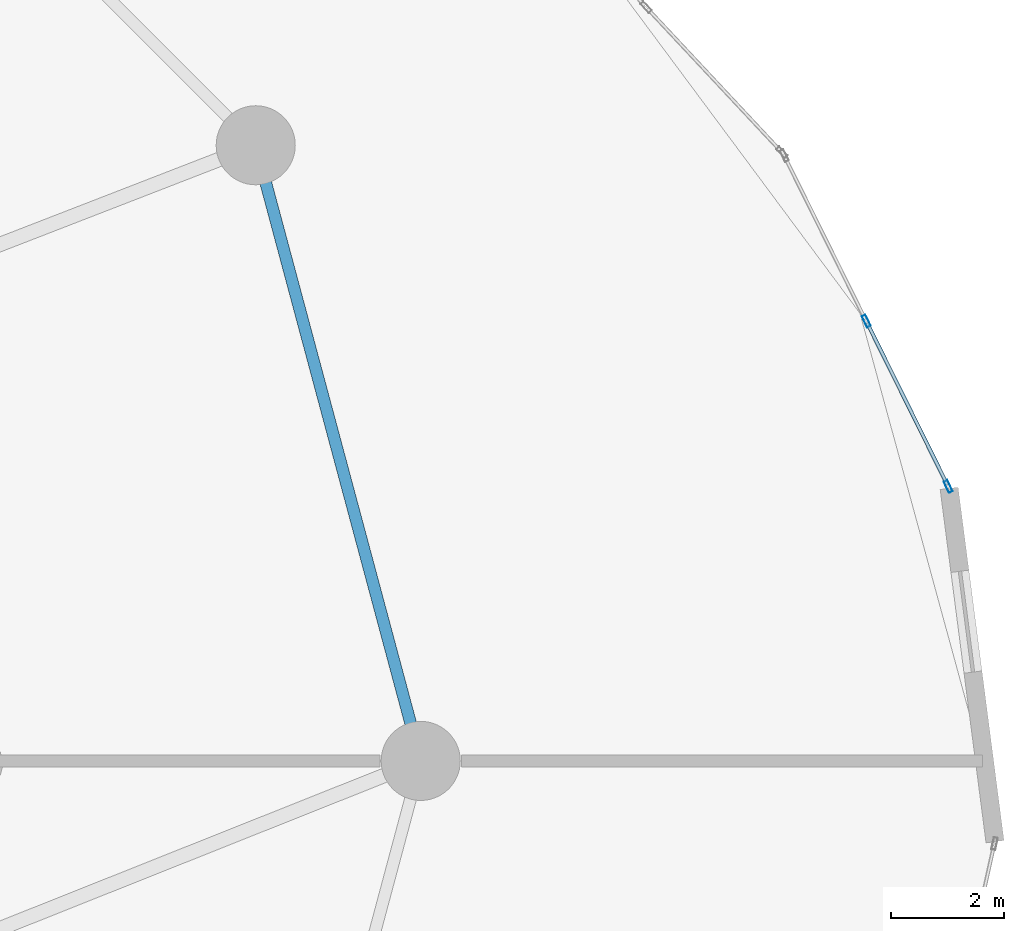
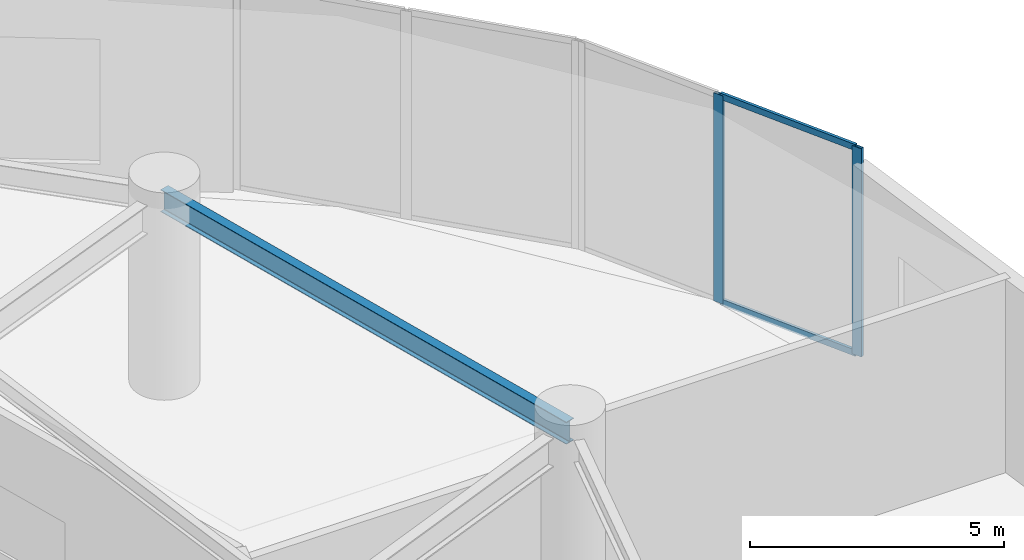
# One storey, part 15 of 31: 4 members, 1 beam, 1 element without a shape of its own.
"""IFC4 building model written with IfcOpenShell, lengths in metres."""

from ifc_helpers import new_model, si_unit, direction, frame, origin, origin_2d, place, context, subcontext, project, spatial, hollow_rectangle, i_section, extrude, source, transform, mapped, material, layer, layer_set, material_profile, profile_set, type_object, element, aggregate, save


model = new_model("IFC4")

# Units and contexts
model_context = context("Model", 3, precision=1e-05, world=origin(), true_north=direction((0.0, 1.0)))
body_context = subcontext(model_context, "Body", "Model", "MODEL_VIEW")
ifc_project = project(units=[si_unit("LENGTHUNIT", "METRE"), si_unit("AREAUNIT", "SQUARE_METRE"), si_unit("VOLUMEUNIT", "CUBIC_METRE"), si_unit("PLANEANGLEUNIT", "RADIAN"), si_unit("MASSUNIT", "GRAM", prefix="KILO")], contexts=[model_context])

# Site, building, storey
site_placement = place(None, origin())
site = spatial("IfcSite", under=ifc_project, at=site_placement, CompositionType="ELEMENT")
building_placement = place(site_placement, origin())
building = spatial("IfcBuilding", under=site, at=building_placement, Name="Solvirekh Grand Hotel", CompositionType="ELEMENT")
storey_placement = place(building_placement, frame((0.0, 0.0, 18.60009765625)))
storey = spatial("IfcBuildingStorey", under=building, at=storey_placement, Name="L03", CompositionType="ELEMENT", Elevation=18.60009765625)

# Beam
ifc_material_1 = material(Name="Steel S355", Category="steel")
ifc_material_profile_1 = material_profile(ifc_material_1, i_section(OverallWidth=0.208984375, OverallDepth=0.532958984375, WebThickness=0.010009765625, FlangeThickness=0.014892578125, FilletRadius=0.013916015625, at=origin_2d()), Name="W530X92")
ifc_profile_set_1 = profile_set([ifc_material_profile_1], Name="Steel S355")
beam_type = type_object("IfcBeamType", Name="Spandrel_Ring_W530", PredefinedType="SPANDREL", material=ifc_profile_set_1)
beam_placement = place(storey_placement, frame((21.800048828125, 0.0, 4.372802734375), z_axis=(-0.258862249378, 0.965914248703, 0.0), x_axis=(-0.965914248703, -0.258862249378, 0.0)))
element("IfcBeam", 1, at=beam_placement, inside=storey, type_object=beam_type, Name="L03 perimeter spandrel beam 1", PredefinedType="SPANDREL", context=body_context, shape_type="SweptSolid", body=[
    extrude(i_section(OverallWidth=0.208984375, OverallDepth=0.532958984375, WebThickness=0.010009765625, FlangeThickness=0.014892578125, FilletRadius=0.013916015625, at=origin_2d()), origin(), (0.0, 0.0, 1.0), 11.284423828125),
])

# Curtain wall, members
ifc_material_2 = material(Name="Anodized Bronze Aluminium 6063-T6", Category="aluminium")
ifc_layer = layer(ifc_material_2, 0.219970703125)
ifc_layer_set = layer_set([ifc_layer], Name="Anodized Bronze Aluminium 6063-T6")
curtain_wall_type = type_object("IfcCurtainWallType", Name="CW_Sys1_PodiumBronzeUnitised", PredefinedType="NOTDEFINED", material=ifc_layer_set)
curtain_wall_placement = place(storey_placement, origin())
curtain_wall = element("IfcCurtainWall", 2, at=curtain_wall_placement, inside=storey, type_object=curtain_wall_type, Name="L03 unitised bronze-glass curtain wall CW-L03-C02", PredefinedType="NOTDEFINED")
ifc_material_profile_2 = material_profile(ifc_material_2, hollow_rectangle(XDim=0.06494140625, YDim=0.14990234375, WallThickness=0.0048828125, at=origin_2d()), Name="ALU RHS 150X65X5")
ifc_profile_set_2 = profile_set([ifc_material_profile_2], Name="Anodized Bronze Aluminium 6063-T6")
member_type_1 = type_object("IfcMemberType", Name="CWTransom_Sys1", PredefinedType="USERDEFINED", material=ifc_profile_set_2)
shared_shape_1 = source(origin(), body_context, "Body", "SweptSolid", [
    extrude(hollow_rectangle(XDim=0.06494140625, YDim=0.14990234375, WallThickness=0.0048828125, at=origin_2d()), origin(), (0.0, 0.0, 1.0), 3.19384765625),
])
member_1_placement = place(storey_placement, frame((31.122802734375, 4.89208984375, 0.032470703125), z_axis=(-0.443908182291, 0.896072277048, 0.0), x_axis=(-0.896072277048, -0.443908182291, 0.0)))
member_1 = element("IfcMember", 3, at=member_1_placement, type_object=member_type_1, Name="U01 transom 1.1", ObjectType="TRANSOM", PredefinedType="USERDEFINED", context=body_context, shape_type="MappedRepresentation", body=[
    mapped(shared_shape_1, transform((0.0, 0.0, 0.0), x_axis=(1.0, 0.0, 0.0), y_axis=(0.0, 1.0, 0.0), z_axis=(0.0, 0.0, 1.0), scale=1.0)),
])
member_2_placement = place(storey_placement, frame((31.122802734375, 4.89208984375, 4.96728515625), z_axis=(-0.443908182291, 0.896072277048, 0.0), x_axis=(-0.896072277048, -0.443908182291, 0.0)))
member_2 = element("IfcMember", 4, at=member_2_placement, type_object=member_type_1, Name="U01 transom 1.2", ObjectType="TRANSOM", PredefinedType="USERDEFINED", context=body_context, shape_type="MappedRepresentation", body=[
    mapped(shared_shape_1, transform((0.0, 0.0, 0.0), x_axis=(1.0, 0.0, 0.0), y_axis=(0.0, 1.0, 0.0), z_axis=(0.0, 0.0, 1.0), scale=1.0)),
])
ifc_material_profile_3 = material_profile(ifc_material_2, hollow_rectangle(XDim=0.074951171875, YDim=0.219970703125, WallThickness=0.006103515625, at=origin_2d()), Name="ALU RHS 220X75X6")
ifc_profile_set_3 = profile_set([ifc_material_profile_3], Name="Anodized Bronze Aluminium 6063-T6")
member_type_2 = type_object("IfcMemberType", Name="CWMullion_Sys1", PredefinedType="MULLION", material=ifc_profile_set_3)
shared_shape_2 = source(origin(), body_context, "Body", "SweptSolid", [
    extrude(hollow_rectangle(XDim=0.074951171875, YDim=0.219970703125, WallThickness=0.006103515625, at=origin_2d()), origin(), (0.0, 0.0, 1.0), 5.0),
])
member_3_placement = place(storey_placement, frame((31.139404296875, 4.858642578125, 0.0), z_axis=(0.0, 0.0, 1.0), x_axis=(-0.896084619407, -0.443883267157, 0.0)))
member_3 = element("IfcMember", 5, at=member_3_placement, type_object=member_type_2, Name="U01 mullion 1", PredefinedType="MULLION", context=body_context, shape_type="MappedRepresentation", body=[
    mapped(shared_shape_2, transform((0.0, 0.0, 0.0), x_axis=(1.0, 0.0, 0.0), y_axis=(0.0, 1.0, 0.0), z_axis=(0.0, 0.0, 1.0), scale=1.0)),
])
member_4_placement = place(storey_placement, frame((29.6884765625, 7.78759765625, 0.0), z_axis=(0.0, 0.0, 1.0), x_axis=(-0.896084619407, -0.443883267157, 0.0)))
member_4 = element("IfcMember", 6, at=member_4_placement, type_object=member_type_2, Name="U01 mullion 2", PredefinedType="MULLION", context=body_context, shape_type="MappedRepresentation", body=[
    mapped(shared_shape_2, transform((0.0, 0.0, 0.0), x_axis=(1.0, 0.0, 0.0), y_axis=(0.0, 1.0, 0.0), z_axis=(0.0, 0.0, 1.0), scale=1.0)),
])
aggregate(curtain_wall, [member_3, member_4, member_1, member_2])

save(model, "model.ifc")
